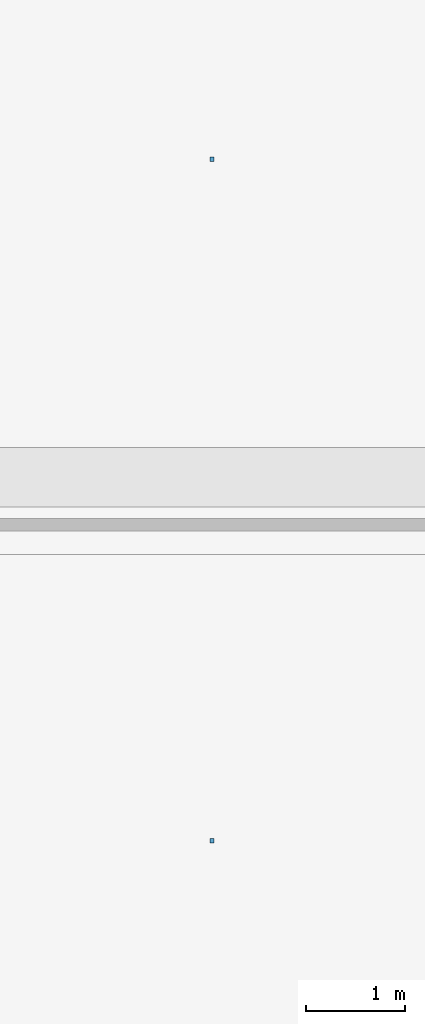
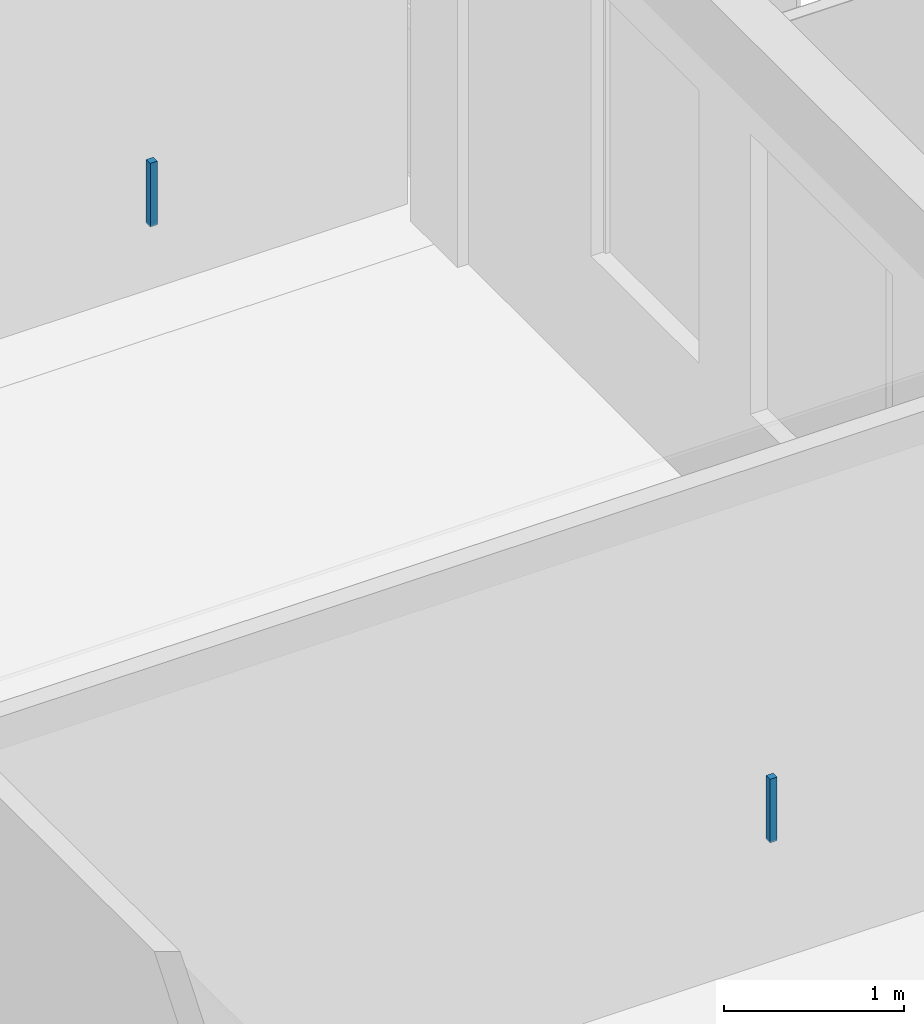
# One storey, part 72 of 86: 2 discrete accessories.
"""IFC4 building model written with IfcOpenShell, lengths in metres."""

from ifc_helpers import new_model, si_unit, derived_unit, direction, frame, origin, origin_2d, place, context, subcontext, project, spatial, rectangle, extrude, material, type_object, element, save


model = new_model("IFC4")

# Units and contexts
model_context = context("Model", 3, precision=1e-05, world=origin(), true_north=direction((0.0, 1.0)))
body_context = subcontext(model_context, "Body", "Model", "MODEL_VIEW")
ifc_project = project(units=[si_unit("LENGTHUNIT", "METRE"), si_unit("AREAUNIT", "SQUARE_METRE"), si_unit("VOLUMEUNIT", "CUBIC_METRE"), si_unit("PLANEANGLEUNIT", "RADIAN"), si_unit("MASSUNIT", "GRAM", prefix="KILO"), derived_unit("THERMALTRANSMITTANCEUNIT", [(si_unit("POWERUNIT", "WATT"), 1), (si_unit("LENGTHUNIT", "METRE"), -2), (si_unit("THERMODYNAMICTEMPERATUREUNIT", "KELVIN"), -1)])], contexts=[model_context])

# Site, building, storey
site_placement = place(None, origin())
site = spatial("IfcSite", under=ifc_project, at=site_placement, CompositionType="ELEMENT")
building_placement = place(site_placement, origin())
building = spatial("IfcBuilding", under=site, at=building_placement, Name="Braskholm Square Health Centre", CompositionType="ELEMENT")
storey_placement = place(building_placement, frame((0.0, 0.0, 13.5)))
storey = spatial("IfcBuildingStorey", under=building, at=storey_placement, Name="L04", CompositionType="ELEMENT", Elevation=13.5)

# Discrete accessories
ifc_material = material(Name="Steel ASTM A500 Grade C", Category="steel")
discrete_accessory_type = type_object("IfcDiscreteAccessoryType", Name="CeilingSuspensionBracket", PredefinedType="BRACKET", material=ifc_material)
for number, where, z_axis, x_axis, name in (
    (1, (159.93994140625, 38.929931640625, 3.35205078125), (0.0, 0.0, 1.0), (1.0, 0.0, 0.0), "Ceiling hanger bracket 0174"),
    (2, (159.93994140625, 45.81005859375, 3.35205078125), (0.0, 0.0, 1.0), (1.0, 0.0, 0.0), "Ceiling hanger bracket 0175"),
):
    element("IfcDiscreteAccessory", number, at=place(storey_placement, frame(where, z_axis=z_axis, x_axis=x_axis)), inside=storey, type_object=discrete_accessory_type, Name=name, PredefinedType="BRACKET", context=body_context, shape_type="SweptSolid", body=[
        extrude(rectangle(XDim=0.044921875, YDim=0.044921875, at=origin_2d()), origin(), (0.0, 0.0, 1.0), 0.429931640625),
    ])

save(model, "model.ifc")
